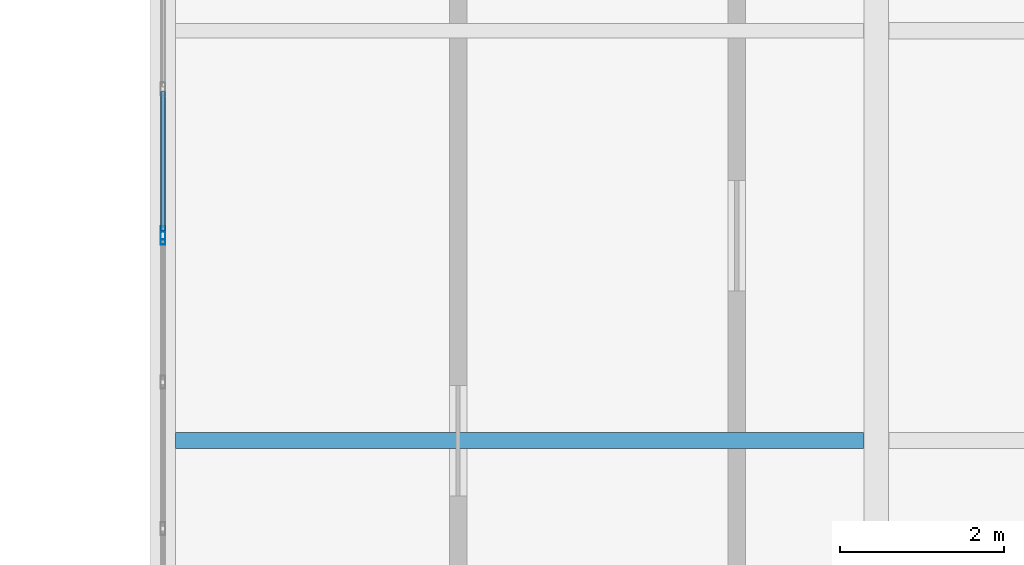
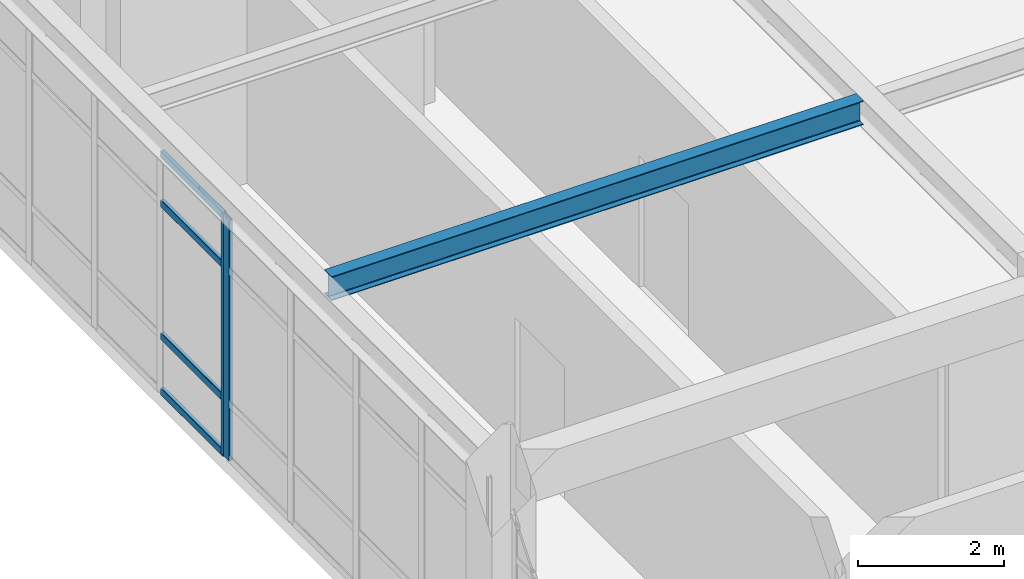
# One storey, part 17 of 76: 6 members, 1 beam, 2 elements without a shape of their own.
"""IFC4 building model written with IfcOpenShell, lengths in metres."""

import ifcopenshell
import ifcopenshell.guid

model = None  # the IFC model being written
_history = None  # IfcOwnerHistory: only IFC2X3 demands one
_inside = {}  # id of a spatial element -> (the spatial element, [elements in it])
_under = {}  # id of a project, library or spatial element -> (it, [spatial elements below it])
_declared = {}  # id of a project -> (the project, [libraries it declares])
_typed = {}  # id of a type object -> (the type object, [elements of that type])
_made_of = {}  # id of a material, layer set ... -> (it, [elements and type objects made of it])


def new_model(schema):
    """Start an empty IFC model of exactly this schema.

    Asked for "IFC4X3", IfcOpenShell would pick the latest addendum, in which some entities
    have other attributes; the version numbers below select the first issue.
    IFC2X3 requires an IfcOwnerHistory on every rooted entity: one is made here for all.
    """
    global model, _history
    if schema == "IFC4X3":
        model = ifcopenshell.file(schema_version=(4, 3, 0, 0))
    else:
        model = ifcopenshell.file(schema=schema)
    _inside.clear()
    _under.clear()
    _declared.clear()
    _typed.clear()
    _made_of.clear()
    _history = None
    if model.schema == "IFC2X3":
        org = make("IfcOrganization", Name="unknown")
        user = make(
            "IfcPersonAndOrganization",
            ThePerson=make("IfcPerson", FamilyName="unknown"),
            TheOrganization=org,
        )
        app = make(
            "IfcApplication",
            ApplicationDeveloper=org,
            Version="unknown",
            ApplicationFullName="unknown",
            ApplicationIdentifier="unknown",
        )
        _history = make(
            "IfcOwnerHistory",
            OwningUser=user,
            OwningApplication=app,
            ChangeAction="ADDED",
            CreationDate=0,
        )
    return model


def make(cls, **values):
    """One entity of the class cls with the attributes given. An attribute that is None is left unset."""
    return model.create_entity(
        cls, **{name: value for name, value in values.items() if value is not None}
    )


def rooted(cls, **values):
    """An entity with a GlobalId (a new one), such as an element, a storey or a relation."""
    return make(cls, GlobalId=ifcopenshell.guid.new(), OwnerHistory=_history, **values)


def si_unit(unit_type, name, prefix=None):
    """IfcSIUnit, for example si_unit("LENGTHUNIT", "METRE", prefix="MILLI")."""
    return make("IfcSIUnit", UnitType=unit_type, Prefix=prefix, Name=name)


def derived_unit(unit_type, elements):
    """IfcDerivedUnit: a product of units, each with its exponent."""
    return make(
        "IfcDerivedUnit",
        Elements=[
            make("IfcDerivedUnitElement", Unit=unit, Exponent=power)
            for unit, power in elements
        ],
        UnitType=unit_type,
    )


def assignment(units):
    """IfcUnitAssignment: the units of a project."""
    return None if units is None else make("IfcUnitAssignment", Units=units)


def point(xyz):
    """IfcCartesianPoint."""
    return None if xyz is None else make("IfcCartesianPoint", Coordinates=xyz)


def direction(xyz):
    """IfcDirection."""
    return None if xyz is None else make("IfcDirection", DirectionRatios=xyz)


def frame(location, z_axis=None, x_axis=None):
    """IfcAxis2Placement3D, a coordinate frame: its origin and axes. An axis left out is left unset."""
    return make(
        "IfcAxis2Placement3D",
        Location=point(location),
        Axis=direction(z_axis),
        RefDirection=direction(x_axis),
    )


def frame_2d(location, x_axis=None):
    """IfcAxis2Placement2D, a coordinate frame in the plane: its origin and x axis."""
    return make(
        "IfcAxis2Placement2D", Location=point(location), RefDirection=direction(x_axis)
    )


def origin():
    """The frame at (0, 0, 0) with its axes left unset."""
    return frame((0.0, 0.0, 0.0))


def origin_2d():
    """The frame at (0, 0) in the plane with its x axis left unset."""
    return frame_2d((0.0, 0.0))


def place(relative_to, where):
    """IfcLocalPlacement: puts the frame where relative to a parent placement (None: the world)."""
    return make(
        "IfcLocalPlacement", PlacementRelTo=relative_to, RelativePlacement=where
    )


def context(
    kind, dimensions, precision=None, world=None, true_north=None, identifier=None
):
    """IfcGeometricRepresentationContext, for example the 3D "Model" context."""
    return make(
        "IfcGeometricRepresentationContext",
        ContextIdentifier=identifier,
        ContextType=kind,
        CoordinateSpaceDimension=dimensions,
        Precision=precision,
        WorldCoordinateSystem=world,
        TrueNorth=true_north,
    )


def subcontext(parent, identifier, kind, view, scale=None):
    """IfcGeometricRepresentationSubContext, for example "Body" below "Model"."""
    return make(
        "IfcGeometricRepresentationSubContext",
        ContextIdentifier=identifier,
        ContextType=kind,
        ParentContext=parent,
        TargetScale=scale,
        TargetView=view,
    )


def project(units=None, contexts=None):
    """IfcProject with its units and contexts."""
    return rooted(
        "IfcProject",
        Name="project",
        RepresentationContexts=contexts,
        UnitsInContext=assignment(units),
    )


def spatial(cls, under=None, at=None, **own):
    """A site, building, storey or space (cls), placed at a placement, below another one or the project."""
    s = rooted(cls, ObjectPlacement=at, **own)
    if under is not None:
        _under.setdefault(under.id(), (under, []))[1].append(s)
    return s


def profile(cls, at=None, kind="AREA", **sizes):
    """A parametric profile (cls). Its sizes go by their IFC names, for example OverallWidth=200.0."""
    return make(cls, ProfileType=kind, Position=at, **sizes)


def hollow_rectangle(**sizes):
    """IfcRectangleHollowProfileDef."""
    return profile("IfcRectangleHollowProfileDef", **sizes)


def i_section(**sizes):
    """IfcIShapeProfileDef."""
    return profile("IfcIShapeProfileDef", **sizes)


def extrude(swept, where, along, depth):
    """IfcExtrudedAreaSolid: the profile swept, set in the frame where, extruded along a direction by depth."""
    return make(
        "IfcExtrudedAreaSolid",
        SweptArea=swept,
        Position=where,
        ExtrudedDirection=direction(along),
        Depth=depth,
    )


def shape(context_of_items, identifier, shape_type, items):
    """IfcShapeRepresentation: the items that make up one representation, for example the "Body"."""
    return make(
        "IfcShapeRepresentation",
        ContextOfItems=context_of_items,
        RepresentationIdentifier=identifier,
        RepresentationType=shape_type,
        Items=items,
    )


def material(Name=None, Category=None):
    """IfcMaterial."""
    return make("IfcMaterial", Name=Name, Category=Category)


def layer(
    of_material, thickness, ventilated=None, Name=None, Category=None, Priority=None
):
    """IfcMaterialLayer: one layer of a wall or slab, of a material (None: an air gap)."""
    return make(
        "IfcMaterialLayer",
        Material=of_material,
        LayerThickness=thickness,
        IsVentilated=ventilated,
        Name=Name,
        Category=Category,
        Priority=Priority,
    )


def layer_set(layers, Name=None):
    """IfcMaterialLayerSet."""
    return make("IfcMaterialLayerSet", MaterialLayers=layers, LayerSetName=Name)


def material_profile(
    of_material, cross_section, Name=None, Category=None, Priority=None
):
    """IfcMaterialProfile: a cross section and its material."""
    return make(
        "IfcMaterialProfile",
        Name=Name,
        Material=of_material,
        Profile=cross_section,
        Priority=Priority,
        Category=Category,
    )


def profile_set(profiles, Name=None, composite=None):
    """IfcMaterialProfileSet."""
    return make(
        "IfcMaterialProfileSet",
        Name=Name,
        MaterialProfiles=profiles,
        CompositeProfile=composite,
    )


def made_of(thing, what):
    """Note that an element or type object is made of a material, layer set ...; save() writes the relation."""
    if what is not None:
        _made_of.setdefault(what.id(), (what, []))[1].append(thing)
    return thing


def type_object(cls, material=None, **own):
    """A type object (cls), such as IfcWallType, which elements share."""
    return made_of(rooted(cls, **own), material)


def element(
    cls,
    number,
    at=None,
    inside=None,
    cuts=None,
    type_object=None,
    material=None,
    context=None,
    identifier="Body",
    shape_type=None,
    held_by="IfcProductDefinitionShape",
    body=None,
    shapes=None,
    **own,
):
    """One element of the class cls, such as IfcWall. Its Tag is "e" and its number.

    at: its placement. inside: the storey or other place that contains it. cuts: it is an
    opening in that element (IfcRelVoidsElement). A single representation is given by context,
    identifier, shape_type and body (its items); several are given by shapes. held_by: the class
    of the entity that holds the representations. save() writes the other relations.
    """
    e = rooted(cls, Tag="e%d" % number, ObjectPlacement=at, **own)
    if body is not None:
        shapes = [shape(context, identifier, shape_type, body)]
    if shapes is not None:
        e.Representation = make(held_by, Representations=shapes)
    if inside is not None:
        _inside.setdefault(inside.id(), (inside, []))[1].append(e)
    if cuts is not None:
        rooted(
            "IfcRelVoidsElement", RelatingBuildingElement=cuts, RelatedOpeningElement=e
        )
    if type_object is not None:
        _typed.setdefault(type_object.id(), (type_object, []))[1].append(e)
    return made_of(e, material)


def aggregate(whole, parts):
    """IfcRelAggregates: a whole, such as a stair, and the parts it consists of."""
    return rooted("IfcRelAggregates", RelatingObject=whole, RelatedObjects=parts)


def save(model, path):
    """Write the relations noted so far, then the file.

    IfcRelAggregates (storeys below a building ...), IfcRelContainedInSpatialStructure (elements
    in a storey), IfcRelDefinesByType, IfcRelAssociatesMaterial and IfcRelDeclares: one each for
    every whole, place, type object, material and project.
    """
    for whole, parts in _under.values():
        aggregate(whole, parts)
    for where, things in _inside.values():
        rooted(
            "IfcRelContainedInSpatialStructure",
            RelatedElements=things,
            RelatingStructure=where,
        )
    for kind, things in _typed.values():
        rooted("IfcRelDefinesByType", RelatedObjects=things, RelatingType=kind)
    for what, things in _made_of.values():
        rooted("IfcRelAssociatesMaterial", RelatedObjects=things, RelatingMaterial=what)
    for by, libraries in _declared.values():
        rooted("IfcRelDeclares", RelatingContext=by, RelatedDefinitions=libraries)
    model.write(path)


model = new_model("IFC4")

# Units and contexts
model_context = context("Model", 3, precision=1e-05, world=origin(), true_north=direction((0.0, 1.0)))
body_context = subcontext(model_context, "Body", "Model", "MODEL_VIEW")
ifc_project = project(units=[si_unit("LENGTHUNIT", "METRE"), si_unit("AREAUNIT", "SQUARE_METRE"), si_unit("VOLUMEUNIT", "CUBIC_METRE"), si_unit("PLANEANGLEUNIT", "RADIAN"), si_unit("MASSUNIT", "GRAM", prefix="KILO"), derived_unit("THERMALTRANSMITTANCEUNIT", [(si_unit("MASSUNIT", "GRAM", prefix="KILO"), 1), (si_unit("TIMEUNIT", "SECOND"), -3), (si_unit("THERMODYNAMICTEMPERATUREUNIT", "KELVIN"), -1)])], contexts=[model_context])

# Site, building, storey
site_placement = place(None, origin())
site = spatial("IfcSite", under=ifc_project, at=site_placement, CompositionType="ELEMENT")
building_placement = place(site_placement, origin())
building = spatial("IfcBuilding", under=site, at=building_placement, Name="Qinzheling Arcade Emporium", CompositionType="ELEMENT")
storey_placement = place(building_placement, frame((0.0, 0.0, 26.699951171875)))
storey = spatial("IfcBuildingStorey", under=building, at=storey_placement, Name="L06", CompositionType="ELEMENT", Elevation=26.699951171875)

# Curtain wall, member
ifc_material_1 = material(Name="Anodised aluminium and solar-control double glazing", Category="aluminium")
ifc_layer = layer(ifc_material_1, 0.159912109375, Name="Anodised aluminium and solar-control double glazing", Category="aluminium")
ifc_layer_set = layer_set([ifc_layer], Name="Anodised aluminium and solar-control double glazing")
curtain_wall_type = type_object("IfcCurtainWallType", Name="Atrium Clerestory Curtain Wall", PredefinedType="NOTDEFINED", material=ifc_layer_set)
curtain_wall_1_placement = place(storey_placement, origin())
curtain_wall_1 = element("IfcCurtainWall", 1, at=curtain_wall_1_placement, inside=storey, type_object=curtain_wall_type, Name="Curtain Wall CW-L06-364", PredefinedType="NOTDEFINED")
ifc_material_2 = material(Name="Anodised aluminium 6063-T6", Category="aluminium")
ifc_material_profile_1 = material_profile(ifc_material_2, hollow_rectangle(XDim=0.06005859375, YDim=0.159912109375, WallThickness=0.00390625, InnerFilletRadius=0.00390625, OuterFilletRadius=0.008056640625, at=origin_2d()), Name="RHS 160x60x4", Category="aluminium")
ifc_profile_set_1 = profile_set([ifc_material_profile_1], Name="Anodised aluminium 6063-T6")
member_type_1 = type_object("IfcMemberType", Name="Curtain Wall Mullion RHS160x60", PredefinedType="MULLION", material=ifc_profile_set_1)
member_1_placement = place(storey_placement, frame((34.800048828125, 57.867919921875, 0.0), z_axis=(0.0, 0.0, 1.0), x_axis=(-1.0, 0.0, 0.0)))
member_1 = element("IfcMember", 2, at=member_1_placement, type_object=member_type_1, Name="CW03 mullion 5", PredefinedType="MULLION", context=body_context, shape_type="SweptSolid", body=[
    extrude(hollow_rectangle(XDim=0.06005859375, YDim=0.159912109375, WallThickness=0.00390625, InnerFilletRadius=0.00390625, OuterFilletRadius=0.008056640625, at=origin_2d()), origin(), (0.0, 0.0, 1.0), 4.01708984375),
])
aggregate(curtain_wall_1, [member_1])

# Curtain wall, members
curtain_wall_2_placement = place(storey_placement, origin())
curtain_wall_2 = element("IfcCurtainWall", 3, at=curtain_wall_2_placement, inside=storey, type_object=curtain_wall_type, Name="Curtain Wall CW-L06-365", PredefinedType="NOTDEFINED")
member_2_placement = place(storey_placement, frame((34.800048828125, 57.931884765625, 0.0), z_axis=(0.0, 0.0, 1.0), x_axis=(-1.0, 0.0, 0.0)))
member_2 = element("IfcMember", 4, at=member_2_placement, type_object=member_type_1, Name="CW03 mullion 1", PredefinedType="MULLION", context=body_context, shape_type="SweptSolid", body=[
    extrude(hollow_rectangle(XDim=0.06005859375, YDim=0.159912109375, WallThickness=0.00390625, InnerFilletRadius=0.00390625, OuterFilletRadius=0.008056640625, at=origin_2d()), origin(), (0.0, 0.0, 1.0), 4.01708984375),
])
ifc_material_profile_2 = material_profile(ifc_material_2, hollow_rectangle(XDim=0.06005859375, YDim=0.1201171875, WallThickness=0.00390625, InnerFilletRadius=0.00390625, OuterFilletRadius=0.008056640625, at=origin_2d()), Name="RHS 120x60x4", Category="aluminium")
ifc_profile_set_2 = profile_set([ifc_material_profile_2], Name="Anodised aluminium 6063-T6")
member_type_2 = type_object("IfcMemberType", Name="Curtain Wall Transom RHS120x60", PredefinedType="USERDEFINED", material=ifc_profile_set_2)
member_3_placement = place(storey_placement, frame((34.800048828125, 57.9619140625, 0.030029296875), z_axis=(0.0, 1.0, 0.0), x_axis=(-1.0, 0.0, 0.0)))
member_3 = element("IfcMember", 5, at=member_3_placement, type_object=member_type_2, Name="CW03 transom 1.1", ObjectType="TRANSOM", PredefinedType="USERDEFINED", context=body_context, shape_type="SweptSolid", body=[
    extrude(hollow_rectangle(XDim=0.06005859375, YDim=0.1201171875, WallThickness=0.00390625, InnerFilletRadius=0.00390625, OuterFilletRadius=0.008056640625, at=origin_2d()), origin(), (0.0, 0.0, 1.0), 1.696533203125),
])
member_4_placement = place(storey_placement, frame((34.800048828125, 57.9619140625, 0.949951171875), z_axis=(0.0, 1.0, 0.0), x_axis=(-1.0, 0.0, 0.0)))
member_4 = element("IfcMember", 6, at=member_4_placement, type_object=member_type_2, Name="CW03 transom 1.2", ObjectType="TRANSOM", PredefinedType="USERDEFINED", context=body_context, shape_type="SweptSolid", body=[
    extrude(hollow_rectangle(XDim=0.06005859375, YDim=0.1201171875, WallThickness=0.00390625, InnerFilletRadius=0.00390625, OuterFilletRadius=0.008056640625, at=origin_2d()), origin(), (0.0, 0.0, 1.0), 1.696533203125),
])
member_5_placement = place(storey_placement, frame((34.800048828125, 57.9619140625, 3.1669921875), z_axis=(0.0, 1.0, 0.0), x_axis=(-1.0, 0.0, 0.0)))
member_5 = element("IfcMember", 7, at=member_5_placement, type_object=member_type_2, Name="CW03 transom 1.3", ObjectType="TRANSOM", PredefinedType="USERDEFINED", context=body_context, shape_type="SweptSolid", body=[
    extrude(hollow_rectangle(XDim=0.06005859375, YDim=0.1201171875, WallThickness=0.00390625, InnerFilletRadius=0.00390625, OuterFilletRadius=0.008056640625, at=origin_2d()), origin(), (0.0, 0.0, 1.0), 1.696533203125),
])
member_6_placement = place(storey_placement, frame((34.800048828125, 57.9619140625, 3.987060546875), z_axis=(0.0, 1.0, 0.0), x_axis=(-1.0, 0.0, 0.0)))
member_6 = element("IfcMember", 8, at=member_6_placement, type_object=member_type_2, Name="CW03 transom 1.4", ObjectType="TRANSOM", PredefinedType="USERDEFINED", context=body_context, shape_type="SweptSolid", body=[
    extrude(hollow_rectangle(XDim=0.06005859375, YDim=0.1201171875, WallThickness=0.00390625, InnerFilletRadius=0.00390625, OuterFilletRadius=0.008056640625, at=origin_2d()), origin(), (0.0, 0.0, 1.0), 1.696533203125),
])
aggregate(curtain_wall_2, [member_2, member_3, member_4, member_5, member_6])

# Beam
ifc_material_3 = material(Name="Structural steel Q355B", Category="steel")
ifc_material_profile_3 = material_profile(ifc_material_3, i_section(OverallWidth=0.199951171875, OverallDepth=0.39990234375, WebThickness=0.008056640625, FlangeThickness=0.012939453125, FilletRadius=0.01611328125, at=origin_2d()), Name="HN 400x200x8x13", Category="steel")
ifc_profile_set_3 = profile_set([ifc_material_profile_3], Name="Structural steel Q355B")
beam_type = type_object("IfcBeamType", Name="Storm Eave Outlooker Joist HN400 Q355B", PredefinedType="JOIST", material=ifc_profile_set_3)
beam_placement = place(storey_placement, frame((34.955078125, 55.39990234375, 4.320068359375), z_axis=(1.0, 0.0, 0.0), x_axis=(0.0, 1.0, 0.0)))
element("IfcBeam", 9, at=beam_placement, inside=storey, type_object=beam_type, Name="Secondary Joist JST-L06-5-1", PredefinedType="JOIST", context=body_context, shape_type="SweptSolid", body=[
    extrude(i_section(OverallWidth=0.199951171875, OverallDepth=0.39990234375, WebThickness=0.008056640625, FlangeThickness=0.012939453125, FilletRadius=0.01611328125, at=origin_2d()), origin(), (0.0, 0.0, 1.0), 8.389892578125),
])

save(model, "model.ifc")
